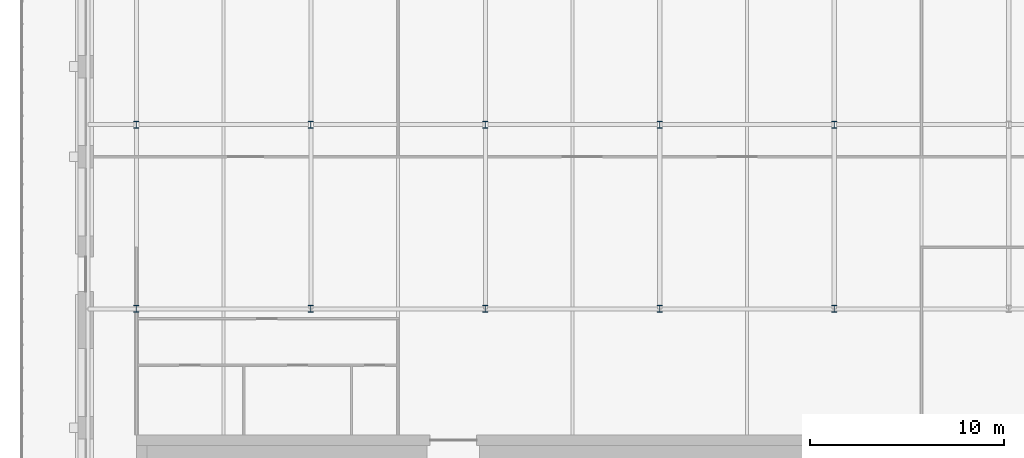
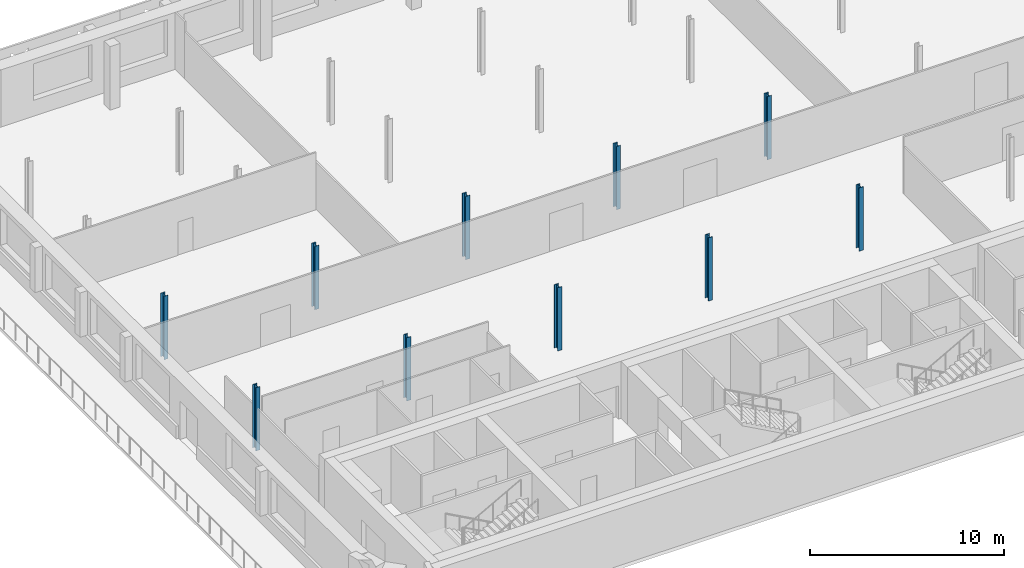
# One storey, part 1 of 13: 10 columns.
"""IFC4 building model written with IfcOpenShell, lengths in metres."""

from ifc_helpers import new_model, si_unit, direction, frame, origin, origin_2d, place, context, subcontext, project, spatial, i_section, extrude, material, material_profile, profile_set, type_object, element, save


model = new_model("IFC4")

# Units and contexts
model_context = context("Model", 3, precision=1e-05, world=origin(), true_north=direction((0.0, 1.0)))
body_context = subcontext(model_context, "Body", "Model", "MODEL_VIEW")
ifc_project = project(units=[si_unit("LENGTHUNIT", "METRE"), si_unit("AREAUNIT", "SQUARE_METRE"), si_unit("VOLUMEUNIT", "CUBIC_METRE"), si_unit("PLANEANGLEUNIT", "RADIAN"), si_unit("MASSUNIT", "GRAM", prefix="KILO")], contexts=[model_context])

# Site, building, storey
site_placement = place(None, origin())
site = spatial("IfcSite", under=ifc_project, at=site_placement, CompositionType="ELEMENT")
building_placement = place(site_placement, origin())
building = spatial("IfcBuilding", under=site, at=building_placement, Name="Zellij Exchange Tower", CompositionType="ELEMENT")
storey_placement = place(building_placement, frame((0.0, 0.0, 292.5)))
storey = spatial("IfcBuildingStorey", under=building, at=storey_placement, Name="L69", CompositionType="ELEMENT", Elevation=292.5)

# Columns
ifc_material = material(Name="Structural steel ASTM A992 Gr 50", Category="steel")
ifc_material_profile = material_profile(ifc_material, i_section(OverallWidth=0.25390625, OverallDepth=0.35302734375, WebThickness=0.009521484375, FlangeThickness=0.016357421875, at=origin_2d()), Name="W14x61")
ifc_profile_set = profile_set([ifc_material_profile], Name="Structural steel ASTM A992 Gr 50")
column_type = type_object("IfcColumnType", Name="STR-COLUMN W14x61", PredefinedType="COLUMN", material=ifc_profile_set)
for number, where, z_axis, x_axis, name in (
    (1, (-27.0, 4.5, 0.0), (0.0, 0.0, 1.0), (1.0, 0.0, 0.0), "C6"),
    (2, (-18.0, 4.5, 0.0), (0.0, 0.0, 1.0), (1.0, 0.0, 0.0), "C6"),
    (3, (-9.0, 4.5, 0.0), (0.0, 0.0, 1.0), (1.0, 0.0, 0.0), "C6"),
    (4, (0.0, 4.5, 0.0), (0.0, 0.0, 1.0), (1.0, 0.0, 0.0), "C6"),
    (5, (9.0, 4.5, 0.0), (0.0, 0.0, 1.0), (1.0, 0.0, 0.0), "C6"),
    (6, (-27.0, 14.0, 0.0), (0.0, 0.0, 1.0), (1.0, 0.0, 0.0), "C6"),
    (7, (-18.0, 14.0, 0.0), (0.0, 0.0, 1.0), (1.0, 0.0, 0.0), "C6"),
    (8, (-9.0, 14.0, 0.0), (0.0, 0.0, 1.0), (1.0, 0.0, 0.0), "C6"),
    (9, (0.0, 14.0, 0.0), (0.0, 0.0, 1.0), (1.0, 0.0, 0.0), "C6"),
    (10, (9.0, 14.0, 0.0), (0.0, 0.0, 1.0), (1.0, 0.0, 0.0), "C6"),
):
    element("IfcColumn", number, at=place(storey_placement, frame(where, z_axis=z_axis, x_axis=x_axis)), inside=storey, type_object=column_type, Name=name, PredefinedType="COLUMN", context=body_context, shape_type="SweptSolid", body=[
        extrude(i_section(OverallWidth=0.25390625, OverallDepth=0.35302734375, WebThickness=0.009521484375, FlangeThickness=0.016357421875, at=origin_2d()), origin(), (0.0, 0.0, 1.0), 4.0),
    ])

save(model, "model.ifc")
